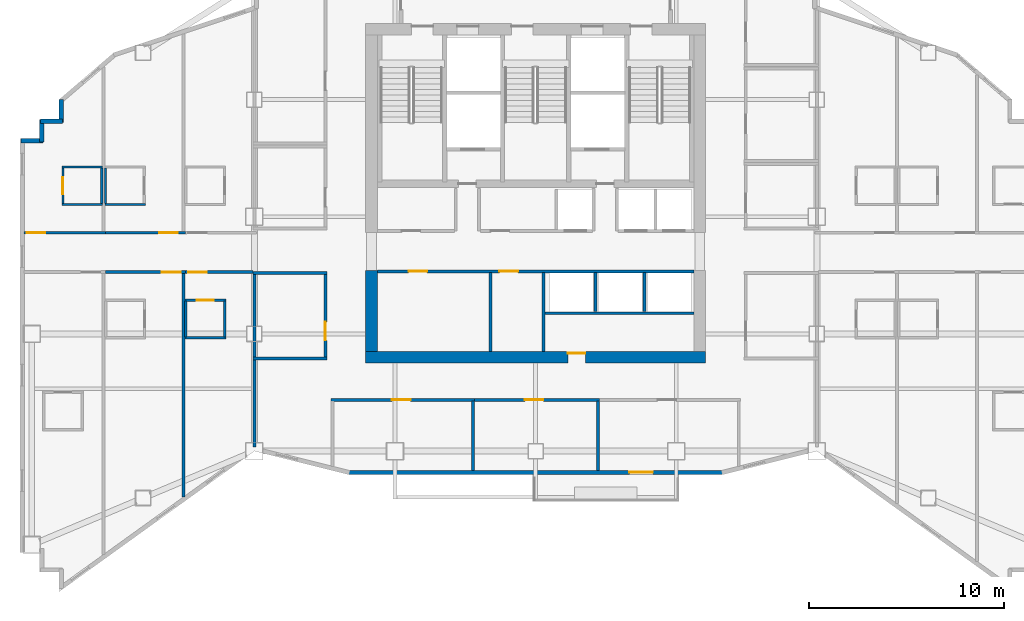
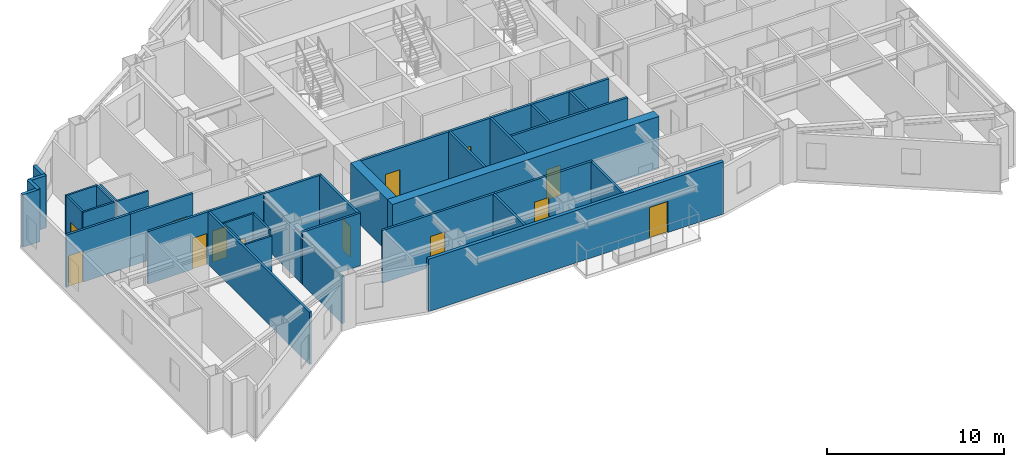
# One storey, part 5 of 11: 37 walls, 13 doors, 13 openings.
"""IFC4 building model written with IfcOpenShell, lengths in metres."""

from ifc_helpers import new_model, si_unit, direction, frame, frame_2d, origin, place, context, subcontext, project, spatial, rectangle, extrude, material, layer, layer_set, type_object, element, fill, save


model = new_model("IFC4")

# Units and contexts
model_context = context("Model", 3, precision=1e-05, world=origin(), true_north=direction((0.0, 1.0)))
body_context = subcontext(model_context, "Body", "Model", "MODEL_VIEW")
ifc_project = project(units=[si_unit("LENGTHUNIT", "METRE"), si_unit("AREAUNIT", "SQUARE_METRE"), si_unit("VOLUMEUNIT", "CUBIC_METRE"), si_unit("PLANEANGLEUNIT", "RADIAN"), si_unit("MASSUNIT", "GRAM", prefix="KILO")], contexts=[model_context])

# Site, building, storey
site_placement = place(None, origin())
site = spatial("IfcSite", under=ifc_project, at=site_placement, CompositionType="ELEMENT")
building_placement = place(site_placement, origin())
building = spatial("IfcBuilding", under=site, at=building_placement, Name="Haolan Belvedere Tower", CompositionType="ELEMENT")
storey_placement = place(building_placement, frame((0.0, 0.0, 223.0)))
storey = spatial("IfcBuildingStorey", under=building, at=storey_placement, Name="L56", CompositionType="ELEMENT", Elevation=223.0)

# Wall, opening, door
ifc_material_1 = material(Name="Concrete C60/75", Category="concrete")
ifc_layer_1 = layer(ifc_material_1, 0.60009765625, Name="Concrete C60/75")
ifc_layer_set_1 = layer_set([ifc_layer_1], Name="Concrete C60/75")
wall_type_1 = type_object("IfcWallType", Name="WL-CORE-600", PredefinedType="SHEAR", material=ifc_layer_set_1)
wall_1_placement = place(storey_placement, frame((29.699951171875, 26.39990234375, 0.0), z_axis=(0.0, 0.0, 1.0), x_axis=(1.0, 0.0, 0.0)))
wall_1 = element("IfcWall", 1, at=wall_1_placement, inside=storey, type_object=wall_type_1, Name="L56 central core south shear wall", PredefinedType="SHEAR", context=body_context, shape_type="SweptSolid", body=[
    extrude(rectangle(XDim=17.400146484375, YDim=0.60009765625, at=frame_2d((8.7001953125, 0.0))), origin(), (0.0, 0.0, 1.0), 3.6201171875),
])
opening_1_placement = place(wall_1_placement, frame((11.25, 0.0, 0.0), z_axis=(0.0, 0.0, 1.0), x_axis=(-1.0, 0.0, 0.0)))
opening_1 = element("IfcOpeningElement", 2, at=opening_1_placement, cuts=wall_1, Name="Opening FD-05", PredefinedType="OPENING", context=body_context, shape_type="SweptSolid", body=[
    extrude(rectangle(XDim=0.89990234375, YDim=2.10009765625, at=frame_2d((0.449951171875, 1.050048828125))), frame((0.0, 0.31005859375, 0.0), z_axis=(0.0, -1.0, 0.0), x_axis=(1.0, 0.0, 0.0)), (0.0, 0.0, 1.0), 0.6201171875),
])
ifc_material_2 = material(Name="Galvanised fire-rated steel", Category="steel")
door_type_1 = type_object("IfcDoorType", Name="DR-FD60-900", OperationType="NOTDEFINED", PredefinedType="DOOR", material=ifc_material_2)
door_1_placement = place(opening_1_placement, origin())
door_1 = element("IfcDoor", 3, at=door_1_placement, inside=storey, type_object=door_type_1, Name="L56 door CD-L56-SCVE", OperationType="SINGLE_SWING_RIGHT", OverallHeight=2.10009765625, OverallWidth=0.89990234375, PredefinedType="DOOR", context=body_context, shape_type="SweptSolid", body=[
    extrude(rectangle(XDim=0.89990234375, YDim=2.10009765625, at=frame_2d((0.449951171875, 1.050048828125))), frame((0.0, -0.19482421875, 0.0), z_axis=(0.0, -1.0, 0.0), x_axis=(1.0, 0.0, 0.0)), (0.0, 0.0, 1.0), 0.050048828125),
])
fill(opening_1, door_1)

# Wall
wall_2_placement = place(storey_placement, frame((30.0, 26.699951171875, 0.0), z_axis=(0.0, 0.0, 1.0), x_axis=(0.0, 1.0, 0.0)))
element("IfcWall", 4, at=wall_2_placement, inside=storey, type_object=wall_type_1, Name="L56 central core shear wall WS", PredefinedType="SHEAR", context=body_context, shape_type="SweptSolid", body=[
    extrude(rectangle(XDim=4.150146484375, YDim=0.60009765625, at=frame_2d((2.0751953125, 0.0))), origin(), (0.0, 0.0, 1.0), 3.6201171875),
])

# Wall, opening, door
ifc_material_3 = material(Name="Precast concrete C40/50", Category="concrete")
ifc_layer_2 = layer(ifc_material_3, 0.219970703125, Name="Precast concrete C40/50")
ifc_layer_set_2 = layer_set([ifc_layer_2], Name="Precast concrete C40/50")
wall_type_2 = type_object("IfcWallType", Name="WL-EXT-220", PredefinedType="SOLIDWALL", material=ifc_layer_set_2)
wall_3_placement = place(storey_placement, frame((28.758544921875, 20.510009765625, 0.0), z_axis=(0.0, 0.0, 1.0), x_axis=(1.0, 0.0, 0.0)))
wall_3 = element("IfcWall", 5, at=wall_3_placement, inside=storey, type_object=wall_type_2, Name="L56 pale-metal exterior spandrel wall 1.1", PredefinedType="SOLIDWALL", context=body_context, shape_type="SweptSolid", body=[
    extrude(rectangle(XDim=19.282958984375, YDim=0.219970703125, at=frame_2d((9.6416015625, 0.0))), origin(), (0.0, 0.0, 1.0), 3.6201171875),
])
opening_2_placement = place(wall_3_placement, frame((15.641357421875, 0.0, 0.0), z_axis=(0.0, 0.0, 1.0), x_axis=(-1.0, 0.0, 0.0)))
opening_2 = element("IfcOpeningElement", 6, at=opening_2_placement, cuts=wall_3, Name="Opening BD-01", PredefinedType="OPENING", context=body_context, shape_type="SweptSolid", body=[
    extrude(rectangle(XDim=1.199951171875, YDim=2.14990234375, at=frame_2d((0.60009765625, 1.074951171875))), frame((0.0, 0.119873046875, 0.0), z_axis=(0.0, -1.0, 0.0), x_axis=(1.0, 0.0, 0.0)), (0.0, 0.0, 1.0), 0.239990234375),
])
ifc_material_4 = material(Name="Thermally broken pale-metal aluminium and Low-E glass", Category="aluminium")
door_type_2 = type_object("IfcDoorType", Name="DR-BAL-1200", OperationType="NOTDEFINED", PredefinedType="DOOR", material=ifc_material_4)
door_2_placement = place(opening_2_placement, origin())
door_2 = element("IfcDoor", 7, at=door_2_placement, inside=storey, type_object=door_type_2, Name="L56 tree-balcony access door 1", OperationType="SINGLE_SWING_RIGHT", OverallHeight=2.14990234375, OverallWidth=1.199951171875, PredefinedType="DOOR", context=body_context, shape_type="SweptSolid", body=[
    extrude(rectangle(XDim=1.199951171875, YDim=2.14990234375, at=frame_2d((0.60009765625, 1.074951171875))), frame((0.0, 0.02490234375, 0.0), z_axis=(0.0, -1.0, 0.0), x_axis=(1.0, 0.0, 0.0)), (0.0, 0.0, 1.0), 0.050048828125),
])
fill(opening_2, door_2)

# Walls
wall_4_placement = place(storey_placement, frame((14.110107421875, 39.6044921875, 0.0), z_axis=(0.0, 0.0, 1.0), x_axis=(0.0, -1.0, 0.0)))
element("IfcWall", 8, at=wall_4_placement, inside=storey, type_object=wall_type_2, Name="L56 pale-metal exterior spandrel wall 31.1", PredefinedType="SOLIDWALL", context=body_context, shape_type="SweptSolid", body=[
    extrude(rectangle(XDim=1.16943359375, YDim=0.219970703125, at=frame_2d((0.584716796875, 0.0))), origin(), (0.0, 0.0, 1.0), 3.6201171875),
])
wall_5_placement = place(storey_placement, frame((14.1650390625, 38.489990234375, 0.0), z_axis=(0.0, 0.0, 1.0), x_axis=(-1.0, 0.0, 0.0)))
element("IfcWall", 9, at=wall_5_placement, inside=storey, type_object=wall_type_2, Name="L56 pale-metal exterior spandrel wall 32.1", PredefinedType="SOLIDWALL", context=body_context, shape_type="SweptSolid", body=[
    extrude(rectangle(XDim=1.110107421875, YDim=0.219970703125, at=frame_2d((0.55517578125, 0.0))), origin(), (0.0, 0.0, 1.0), 3.6201171875),
])
wall_6_placement = place(storey_placement, frame((13.110107421875, 38.544921875, 0.0), z_axis=(0.0, 0.0, 1.0), x_axis=(0.0, -1.0, 0.0)))
element("IfcWall", 10, at=wall_6_placement, inside=storey, type_object=wall_type_2, Name="L56 pale-metal exterior spandrel wall 33.1", PredefinedType="SOLIDWALL", context=body_context, shape_type="SweptSolid", body=[
    extrude(rectangle(XDim=1.10986328125, YDim=0.219970703125, at=frame_2d((0.554931640625, 0.0))), origin(), (0.0, 0.0, 1.0), 3.6201171875),
])
wall_7_placement = place(storey_placement, frame((13.1650390625, 37.489990234375, 0.0), z_axis=(0.0, 0.0, 1.0), x_axis=(-1.0, 0.0, 0.0)))
element("IfcWall", 11, at=wall_7_placement, inside=storey, type_object=wall_type_2, Name="L56 pale-metal exterior spandrel wall 34.1", PredefinedType="SOLIDWALL", context=body_context, shape_type="SweptSolid", body=[
    extrude(rectangle(XDim=1.110107421875, YDim=0.219970703125, at=frame_2d((0.55517578125, 0.0))), origin(), (0.0, 0.0, 1.0), 3.6201171875),
])
ifc_material_5 = material(Name="Double gypsum acoustic stud partition", Category="masonry")
ifc_layer_3 = layer(ifc_material_5, 0.14990234375, Name="Double gypsum acoustic stud partition")
ifc_layer_set_3 = layer_set([ifc_layer_3], Name="Double gypsum acoustic stud partition")
wall_type_3 = type_object("IfcWallType", Name="WL-PART-150", PredefinedType="PARTITIONING", material=ifc_layer_set_3)
wall_8_placement = place(storey_placement, frame((36.10009765625, 26.7099609375, 0.0), z_axis=(0.0, 0.0, 1.0), x_axis=(0.0, 1.0, 0.0)))
element("IfcWall", 12, at=wall_8_placement, inside=storey, type_object=wall_type_3, Name="L56 interior partition IW-L56-DIV-REUSE-PM", PredefinedType="PARTITIONING", context=body_context, shape_type="SweptSolid", body=[
    extrude(rectangle(XDim=4.025146484375, YDim=0.14990234375, at=frame_2d((2.0126953125, 0.0))), origin(), (0.0, 0.0, 1.0), 3.6201171875),
])
wall_9_placement = place(storey_placement, frame((38.860107421875, 28.659912109375, 0.0), z_axis=(0.0, 0.0, 1.0), x_axis=(1.0, 0.0, 0.0)))
element("IfcWall", 13, at=wall_9_placement, inside=storey, type_object=wall_type_3, Name="L56 interior partition IW-L56-SSTRIP-E", PredefinedType="PARTITIONING", context=body_context, shape_type="SweptSolid", body=[
    extrude(rectangle(XDim=7.639892578125, YDim=0.14990234375, at=frame_2d((3.81982421875, 0.0))), origin(), (0.0, 0.0, 1.0), 3.6201171875),
])
for number, where, z_axis, x_axis, name in (
    (14, (23.919921875, 30.72998046875, 0.0), (0.0, 0.0, 1.0), (1.0, 0.0, 0.0), "L56 interior partition IW-L56-PKTW-N"),
    (15, (23.919921875, 26.35009765625, 0.0), (0.0, 0.0, 1.0), (1.0, 0.0, 0.0), "L56 interior partition IW-L56-PKTW-S"),
):
    element("IfcWall", number, at=place(storey_placement, frame(where, z_axis=z_axis, x_axis=x_axis)), inside=storey, type_object=wall_type_3, Name=name, PredefinedType="PARTITIONING", context=body_context, shape_type="SweptSolid", body=[
        extrude(rectangle(XDim=3.800048828125, YDim=0.14990234375, at=frame_2d((1.89990234375, 0.0))), origin(), (0.0, 0.0, 1.0), 3.6201171875),
    ])
wall_10_placement = place(storey_placement, frame((24.0, 26.409912109375, 0.0), z_axis=(0.0, 0.0, 1.0), x_axis=(0.0, 1.0, 0.0)))
element("IfcWall", 16, at=wall_10_placement, inside=storey, type_object=wall_type_3, Name="L56 interior partition IW-L56-PKTW-W", PredefinedType="PARTITIONING", context=body_context, shape_type="SweptSolid", body=[
    extrude(rectangle(XDim=4.260009765625, YDim=0.14990234375, at=frame_2d((2.1298828125, 0.0))), origin(), (0.0, 0.0, 1.0), 3.215087890625),
])

# Wall, opening, door
wall_11_placement = place(storey_placement, frame((27.639892578125, 26.409912109375, 0.0), z_axis=(0.0, 0.0, 1.0), x_axis=(0.0, 1.0, 0.0)))
wall_11 = element("IfcWall", 17, at=wall_11_placement, inside=storey, type_object=wall_type_3, Name="L56 interior partition IW-L56-PKTW-E", PredefinedType="PARTITIONING", context=body_context, shape_type="SweptSolid", body=[
    extrude(rectangle(XDim=4.260009765625, YDim=0.14990234375, at=frame_2d((2.1298828125, 0.0))), origin(), (0.0, 0.0, 1.0), 3.6201171875),
])
opening_3_placement = place(wall_11_placement, frame((1.81005859375, 0.0, 0.0), z_axis=(0.0, 0.0, 1.0), x_axis=(-1.0, 0.0, 0.0)))
opening_3 = element("IfcOpeningElement", 18, at=opening_3_placement, cuts=wall_11, Name="Opening ID-03", PredefinedType="OPENING", context=body_context, shape_type="SweptSolid", body=[
    extrude(rectangle(XDim=0.949951171875, YDim=2.1201171875, at=frame_2d((0.47509765625, 1.06005859375))), frame((0.0, 0.0849609375, 0.0), z_axis=(0.0, -1.0, 0.0), x_axis=(1.0, 0.0, 0.0)), (0.0, 0.0, 1.0), 0.169921875),
])
ifc_material_6 = material(Name="Painted solid-core timber", Category="wood")
door_type_3 = type_object("IfcDoorType", Name="DR-INT-950", OperationType="NOTDEFINED", PredefinedType="DOOR", material=ifc_material_6)
door_3_placement = place(opening_3_placement, origin())
door_3 = element("IfcDoor", 19, at=door_3_placement, inside=storey, type_object=door_type_3, Name="L56 door ID-L56-PKTW", OperationType="SINGLE_SWING_LEFT", OverallHeight=2.1201171875, OverallWidth=0.949951171875, PredefinedType="DOOR", context=body_context, shape_type="SweptSolid", body=[
    extrude(rectangle(XDim=0.949951171875, YDim=2.1201171875, at=frame_2d((0.47509765625, 1.06005859375))), frame((0.0, 0.02490234375, 0.0), z_axis=(0.0, -1.0, 0.0), x_axis=(1.0, 0.0, 0.0)), (0.0, 0.0, 1.0), 0.050048828125),
])
fill(opening_3, door_3)

wall_12_placement = place(storey_placement, frame((27.919921875, 24.219970703125, 0.0), z_axis=(0.0, 0.0, 1.0), x_axis=(1.0, 0.0, 0.0)))
wall_12 = element("IfcWall", 20, at=wall_12_placement, inside=storey, type_object=wall_type_3, Name="L56 interior partition IW-L56-KS2-N", PredefinedType="PARTITIONING", context=body_context, shape_type="SweptSolid", body=[
    extrude(rectangle(XDim=7.360107421875, YDim=0.14990234375, at=frame_2d((3.68017578125, 0.0))), origin(), (0.0, 0.0, 1.0), 3.6201171875),
])
opening_4_placement = place(wall_12_placement, frame((4.074951171875, 0.0, 0.0), z_axis=(0.0, 0.0, 1.0), x_axis=(-1.0, 0.0, 0.0)))
opening_4 = element("IfcOpeningElement", 21, at=opening_4_placement, cuts=wall_12, Name="Opening ID-03", PredefinedType="OPENING", context=body_context, shape_type="SweptSolid", body=[
    extrude(rectangle(XDim=0.949951171875, YDim=2.1201171875, at=frame_2d((0.47509765625, 1.06005859375))), frame((0.0, 0.0849609375, 0.0), z_axis=(0.0, -1.0, 0.0), x_axis=(1.0, 0.0, 0.0)), (0.0, 0.0, 1.0), 0.169921875),
])
door_4_placement = place(opening_4_placement, origin())
door_4 = element("IfcDoor", 22, at=door_4_placement, inside=storey, type_object=door_type_3, Name="L56 door ID-L56-KS2", OperationType="SINGLE_SWING_LEFT", OverallHeight=2.1201171875, OverallWidth=0.949951171875, PredefinedType="DOOR", context=body_context, shape_type="SweptSolid", body=[
    extrude(rectangle(XDim=0.949951171875, YDim=2.1201171875, at=frame_2d((0.47509765625, 1.06005859375))), frame((0.0, 0.02490234375, 0.0), z_axis=(0.0, -1.0, 0.0), x_axis=(1.0, 0.0, 0.0)), (0.0, 0.0, 1.0), 0.050048828125),
])
fill(opening_4, door_4)

# Wall
wall_13_placement = place(storey_placement, frame((35.199951171875, 20.612060546875, 0.0), z_axis=(0.0, 0.0, 1.0), x_axis=(0.0, 1.0, 0.0)))
element("IfcWall", 23, at=wall_13_placement, inside=storey, type_object=wall_type_3, Name="L56 interior partition IW-L56-KS2-E", PredefinedType="PARTITIONING", context=body_context, shape_type="SweptSolid", body=[
    extrude(rectangle(XDim=3.5478515625, YDim=0.14990234375, at=frame_2d((1.77392578125, 0.0))), origin(), (0.0, 0.0, 1.0), 3.6201171875),
])

# Wall, opening, door
wall_14_placement = place(storey_placement, frame((35.281982421875, 24.219970703125, 0.0), z_axis=(0.0, 0.0, 1.0), x_axis=(1.0, 0.0, 0.0)))
wall_14 = element("IfcWall", 24, at=wall_14_placement, inside=storey, type_object=wall_type_3, Name="L56 interior partition IW-L56-KS3-N", PredefinedType="PARTITIONING", context=body_context, shape_type="SweptSolid", body=[
    extrude(rectangle(XDim=6.39794921875, YDim=0.14990234375, at=frame_2d((3.198974609375, 0.0))), origin(), (0.0, 0.0, 1.0), 3.6201171875),
])
opening_5_placement = place(wall_14_placement, frame((3.512939453125, 0.0, 0.0), z_axis=(0.0, 0.0, 1.0), x_axis=(-1.0, 0.0, 0.0)))
opening_5 = element("IfcOpeningElement", 25, at=opening_5_placement, cuts=wall_14, Name="Opening ID-03", PredefinedType="OPENING", context=body_context, shape_type="SweptSolid", body=[
    extrude(rectangle(XDim=0.949951171875, YDim=2.1201171875, at=frame_2d((0.47509765625, 1.06005859375))), frame((0.0, 0.0849609375, 0.0), z_axis=(0.0, -1.0, 0.0), x_axis=(1.0, 0.0, 0.0)), (0.0, 0.0, 1.0), 0.169921875),
])
door_5_placement = place(opening_5_placement, origin())
door_5 = element("IfcDoor", 26, at=door_5_placement, inside=storey, type_object=door_type_3, Name="L56 door ID-L56-KS3", OperationType="SINGLE_SWING_RIGHT", OverallHeight=2.1201171875, OverallWidth=0.949951171875, PredefinedType="DOOR", context=body_context, shape_type="SweptSolid", body=[
    extrude(rectangle(XDim=0.949951171875, YDim=2.1201171875, at=frame_2d((0.47509765625, 1.06005859375))), frame((0.0, 0.02490234375, 0.0), z_axis=(0.0, -1.0, 0.0), x_axis=(1.0, 0.0, 0.0)), (0.0, 0.0, 1.0), 0.050048828125),
])
fill(opening_5, door_5)

# Wall
wall_15_placement = place(storey_placement, frame((41.60009765625, 20.612060546875, 0.0), z_axis=(0.0, 0.0, 1.0), x_axis=(0.0, 1.0, 0.0)))
element("IfcWall", 27, at=wall_15_placement, inside=storey, type_object=wall_type_3, Name="L56 interior partition IW-L56-KS3-E", PredefinedType="PARTITIONING", context=body_context, shape_type="SweptSolid", body=[
    extrude(rectangle(XDim=3.5478515625, YDim=0.14990234375, at=frame_2d((1.77392578125, 0.0))), origin(), (0.0, 0.0, 1.0), 3.6201171875),
])

# Wall, opening, door
wall_16_placement = place(storey_placement, frame((12.2119140625, 32.780029296875, 0.0), z_axis=(0.0, 0.0, 1.0), x_axis=(1.0, 0.0, 0.0)))
wall_16 = element("IfcWall", 28, at=wall_16_placement, inside=storey, type_object=wall_type_3, Name="L56 interior partition IW-L56-T2N1-S", PredefinedType="PARTITIONING", context=body_context, shape_type="SweptSolid", body=[
    extrude(rectangle(XDim=4.16796875, YDim=0.14990234375, at=frame_2d((2.083984375, 0.0))), origin(), (0.0, 0.0, 1.0), 3.6201171875),
])
opening_6_placement = place(wall_16_placement, frame((0.139892578125, 0.0, 0.0)))
opening_6 = element("IfcOpeningElement", 29, at=opening_6_placement, cuts=wall_16, Name="Opening ID-02", PredefinedType="OPENING", context=body_context, shape_type="SweptSolid", body=[
    extrude(rectangle(XDim=0.949951171875, YDim=2.14990234375, at=frame_2d((0.47509765625, 1.074951171875))), frame((0.0, 0.0849609375, 0.0), z_axis=(0.0, -1.0, 0.0), x_axis=(1.0, 0.0, 0.0)), (0.0, 0.0, 1.0), 0.169921875),
])
ifc_material_7 = material(Name="Acoustic oak veneer fire-rated timber", Category="wood")
door_type_4 = type_object("IfcDoorType", Name="DR-GUEST-950", OperationType="NOTDEFINED", PredefinedType="DOOR", material=ifc_material_7)
door_6_placement = place(opening_6_placement, origin())
door_6 = element("IfcDoor", 30, at=door_6_placement, inside=storey, type_object=door_type_4, Name="L56 door ID-L56-T2N1-ENT", OperationType="SINGLE_SWING_RIGHT", OverallHeight=2.14990234375, OverallWidth=0.949951171875, PredefinedType="DOOR", context=body_context, shape_type="SweptSolid", body=[
    extrude(rectangle(XDim=0.949951171875, YDim=2.14990234375, at=frame_2d((0.47509765625, 1.074951171875))), frame((0.0, 0.02490234375, 0.0), z_axis=(0.0, -1.0, 0.0), x_axis=(1.0, 0.0, 0.0)), (0.0, 0.0, 1.0), 0.050048828125),
])
fill(opening_6, door_6)

wall_17_placement = place(storey_placement, frame((16.382080078125, 32.780029296875, 0.0), z_axis=(0.0, 0.0, 1.0), x_axis=(1.0, 0.0, 0.0)))
wall_17 = element("IfcWall", 31, at=wall_17_placement, inside=storey, type_object=wall_type_3, Name="L56 interior partition IW-L56-T2N2-S", PredefinedType="PARTITIONING", context=body_context, shape_type="SweptSolid", body=[
    extrude(rectangle(XDim=4.097900390625, YDim=0.14990234375, at=frame_2d((2.048828125, 0.0))), origin(), (0.0, 0.0, 1.0), 3.6201171875),
])
opening_7_placement = place(wall_17_placement, frame((2.738037109375, 0.0, 0.0)))
opening_7 = element("IfcOpeningElement", 32, at=opening_7_placement, cuts=wall_17, Name="Opening ID-02", PredefinedType="OPENING", context=body_context, shape_type="SweptSolid", body=[
    extrude(rectangle(XDim=0.949951171875, YDim=2.14990234375, at=frame_2d((0.47509765625, 1.074951171875))), frame((0.0, 0.0849609375, 0.0), z_axis=(0.0, -1.0, 0.0), x_axis=(1.0, 0.0, 0.0)), (0.0, 0.0, 1.0), 0.169921875),
])
door_7_placement = place(opening_7_placement, origin())
door_7 = element("IfcDoor", 33, at=door_7_placement, inside=storey, type_object=door_type_4, Name="L56 door ID-L56-T2N2-ENT", OperationType="SINGLE_SWING_LEFT", OverallHeight=2.14990234375, OverallWidth=0.949951171875, PredefinedType="DOOR", context=body_context, shape_type="SweptSolid", body=[
    extrude(rectangle(XDim=0.949951171875, YDim=2.14990234375, at=frame_2d((0.47509765625, 1.074951171875))), frame((0.0, 0.02490234375, 0.0), z_axis=(0.0, -1.0, 0.0), x_axis=(1.0, 0.0, 0.0)), (0.0, 0.0, 1.0), 0.050048828125),
])
fill(opening_7, door_7)

wall_18_placement = place(storey_placement, frame((16.382080078125, 30.77001953125, 0.0), z_axis=(0.0, 0.0, 1.0), x_axis=(1.0, 0.0, 0.0)))
wall_18 = element("IfcWall", 34, at=wall_18_placement, inside=storey, type_object=wall_type_3, Name="L56 interior partition IW-L56-T2S2-N", PredefinedType="PARTITIONING", context=body_context, shape_type="SweptSolid", body=[
    extrude(rectangle(XDim=4.097900390625, YDim=0.14990234375, at=frame_2d((2.048828125, 0.0))), origin(), (0.0, 0.0, 1.0), 3.6201171875),
])
opening_8_placement = place(wall_18_placement, frame((3.8369140625, 0.0, 0.0), z_axis=(0.0, 0.0, 1.0), x_axis=(-1.0, 0.0, 0.0)))
opening_8 = element("IfcOpeningElement", 35, at=opening_8_placement, cuts=wall_18, Name="Opening ID-02", PredefinedType="OPENING", context=body_context, shape_type="SweptSolid", body=[
    extrude(rectangle(XDim=0.949951171875, YDim=2.14990234375, at=frame_2d((0.47509765625, 1.074951171875))), frame((0.0, 0.0849609375, 0.0), z_axis=(0.0, -1.0, 0.0), x_axis=(1.0, 0.0, 0.0)), (0.0, 0.0, 1.0), 0.169921875),
])
door_8_placement = place(opening_8_placement, origin())
door_8 = element("IfcDoor", 36, at=door_8_placement, inside=storey, type_object=door_type_4, Name="L56 door ID-L56-T2S2-ENT", OperationType="SINGLE_SWING_RIGHT", OverallHeight=2.14990234375, OverallWidth=0.949951171875, PredefinedType="DOOR", context=body_context, shape_type="SweptSolid", body=[
    extrude(rectangle(XDim=0.949951171875, YDim=2.14990234375, at=frame_2d((0.47509765625, 1.074951171875))), frame((0.0, 0.02490234375, 0.0), z_axis=(0.0, -1.0, 0.0), x_axis=(1.0, 0.0, 0.0)), (0.0, 0.0, 1.0), 0.050048828125),
])
fill(opening_8, door_8)

# Wall
wall_19_placement = place(storey_placement, frame((20.3798828125, 19.2548828125, 0.0), z_axis=(0.0, 0.0, 1.0), x_axis=(0.0, 1.0, 0.0)))
element("IfcWall", 37, at=wall_19_placement, inside=storey, type_object=wall_type_3, Name="L56 interior partition IW-L56-T2S2-E", PredefinedType="PARTITIONING", context=body_context, shape_type="SweptSolid", body=[
    extrude(rectangle(XDim=11.455078125, YDim=0.14990234375, at=frame_2d((5.7275390625, 0.0))), origin(), (0.0, 0.0, 1.0), 3.6201171875),
])

# Wall, opening, door
wall_20_placement = place(storey_placement, frame((20.48193359375, 30.77001953125, 0.0), z_axis=(0.0, 0.0, 1.0), x_axis=(1.0, 0.0, 0.0)))
wall_20 = element("IfcWall", 38, at=wall_20_placement, inside=storey, type_object=wall_type_3, Name="L56 interior partition IW-L56-T2S3-N", PredefinedType="PARTITIONING", context=body_context, shape_type="SweptSolid", body=[
    extrude(rectangle(XDim=3.43603515625, YDim=0.14990234375, at=frame_2d((1.718017578125, 0.0))), origin(), (0.0, 0.0, 1.0), 3.6201171875),
])
opening_9_placement = place(wall_20_placement, frame((1.08984375, 0.0, 0.0), z_axis=(0.0, 0.0, 1.0), x_axis=(-1.0, 0.0, 0.0)))
opening_9 = element("IfcOpeningElement", 39, at=opening_9_placement, cuts=wall_20, Name="Opening ID-02", PredefinedType="OPENING", context=body_context, shape_type="SweptSolid", body=[
    extrude(rectangle(XDim=0.949951171875, YDim=2.14990234375, at=frame_2d((0.47509765625, 1.074951171875))), frame((0.0, 0.0849609375, 0.0), z_axis=(0.0, -1.0, 0.0), x_axis=(1.0, 0.0, 0.0)), (0.0, 0.0, 1.0), 0.169921875),
])
door_9_placement = place(opening_9_placement, origin())
door_9 = element("IfcDoor", 40, at=door_9_placement, inside=storey, type_object=door_type_4, Name="L56 door ID-L56-T2S3-ENT", OperationType="SINGLE_SWING_LEFT", OverallHeight=2.14990234375, OverallWidth=0.949951171875, PredefinedType="DOOR", context=body_context, shape_type="SweptSolid", body=[
    extrude(rectangle(XDim=0.949951171875, YDim=2.14990234375, at=frame_2d((0.47509765625, 1.074951171875))), frame((0.0, 0.02490234375, 0.0), z_axis=(0.0, -1.0, 0.0), x_axis=(1.0, 0.0, 0.0)), (0.0, 0.0, 1.0), 0.050048828125),
])
fill(opening_9, door_9)

# Wall
wall_21_placement = place(storey_placement, frame((24.0, 21.818603515625, 0.0), z_axis=(0.0, 0.0, 1.0), x_axis=(0.0, 1.0, 0.0)))
element("IfcWall", 41, at=wall_21_placement, inside=storey, type_object=wall_type_3, Name="L56 interior partition IW-L56-T2S3-E", PredefinedType="PARTITIONING", context=body_context, shape_type="SweptSolid", body=[
    extrude(rectangle(XDim=4.471435546875, YDim=0.14990234375, at=frame_2d((2.23583984375, 0.0))), origin(), (0.0, 0.0, 1.0), 3.215087890625),
])

# Wall, openings, doors
ifc_material_8 = material(Name="Gypsum fire shaftwall assembly", Category="masonry")
ifc_layer_4 = layer(ifc_material_8, 0.1650390625, Name="Gypsum fire shaftwall assembly")
ifc_layer_set_4 = layer_set([ifc_layer_4], Name="Gypsum fire shaftwall assembly")
wall_type_4 = type_object("IfcWallType", Name="WL-SHAFT-160", PredefinedType="SOLIDWALL", material=ifc_layer_set_4)
wall_22_placement = place(storey_placement, frame((30.300048828125, 30.800048828125, 0.0), z_axis=(0.0, 0.0, 1.0), x_axis=(1.0, 0.0, 0.0)))
wall_22 = element("IfcWall", 42, at=wall_22_placement, inside=storey, type_object=wall_type_4, Name="L56 interior partition IW-L56-ROW-PS", PredefinedType="SOLIDWALL", context=body_context, shape_type="SweptSolid", body=[
    extrude(rectangle(XDim=16.199951171875, YDim=0.159912109375, at=frame_2d((8.10009765625, 0.0))), origin(), (0.0, 0.0, 1.0), 3.6201171875),
])
opening_10_placement = place(wall_22_placement, frame((1.60009765625, 0.0, 0.0)))
opening_10 = element("IfcOpeningElement", 43, at=opening_10_placement, cuts=wall_22, Name="Opening ID-03", PredefinedType="OPENING", context=body_context, shape_type="SweptSolid", body=[
    extrude(rectangle(XDim=0.949951171875, YDim=2.1201171875, at=frame_2d((0.47509765625, 1.06005859375))), frame((0.0, 0.08984375, 0.0), z_axis=(0.0, -1.0, 0.0), x_axis=(1.0, 0.0, 0.0)), (0.0, 0.0, 1.0), 0.179931640625),
])
opening_11_placement = place(wall_22_placement, frame((6.25, 0.0, 0.0)))
opening_11 = element("IfcOpeningElement", 44, at=opening_11_placement, cuts=wall_22, Name="Opening ID-03", PredefinedType="OPENING", context=body_context, shape_type="SweptSolid", body=[
    extrude(rectangle(XDim=0.949951171875, YDim=2.1201171875, at=frame_2d((0.47509765625, 1.06005859375))), frame((0.0, 0.08984375, 0.0), z_axis=(0.0, -1.0, 0.0), x_axis=(1.0, 0.0, 0.0)), (0.0, 0.0, 1.0), 0.179931640625),
])
door_10_placement = place(opening_10_placement, origin())
door_10 = element("IfcDoor", 45, at=door_10_placement, inside=storey, type_object=door_type_3, Name="L56 door ID-L56-CD-RPMA", OperationType="SINGLE_SWING_LEFT", OverallHeight=2.1201171875, OverallWidth=0.949951171875, PredefinedType="DOOR", context=body_context, shape_type="SweptSolid", body=[
    extrude(rectangle(XDim=0.949951171875, YDim=2.1201171875, at=frame_2d((0.47509765625, 1.06005859375))), frame((0.0, 0.02490234375, 0.0), z_axis=(0.0, -1.0, 0.0), x_axis=(1.0, 0.0, 0.0)), (0.0, 0.0, 1.0), 0.050048828125),
])
fill(opening_10, door_10)
door_11_placement = place(opening_11_placement, origin())
door_11 = element("IfcDoor", 46, at=door_11_placement, inside=storey, type_object=door_type_3, Name="L56 door ID-L56-CD-RPMB", OperationType="SINGLE_SWING_RIGHT", OverallHeight=2.1201171875, OverallWidth=0.949951171875, PredefinedType="DOOR", context=body_context, shape_type="SweptSolid", body=[
    extrude(rectangle(XDim=0.949951171875, YDim=2.1201171875, at=frame_2d((0.47509765625, 1.06005859375))), frame((0.0, 0.02490234375, 0.0), z_axis=(0.0, -1.0, 0.0), x_axis=(1.0, 0.0, 0.0)), (0.0, 0.0, 1.0), 0.050048828125),
])
fill(opening_11, door_11)

# Walls
wall_23_placement = place(storey_placement, frame((38.800048828125, 26.7099609375, 0.0), z_axis=(0.0, 0.0, 1.0), x_axis=(0.0, 1.0, 0.0)))
element("IfcWall", 47, at=wall_23_placement, inside=storey, type_object=wall_type_4, Name="L56 interior partition IW-L56-DIV-PM-OB", PredefinedType="SOLIDWALL", context=body_context, shape_type="SweptSolid", body=[
    extrude(rectangle(XDim=4.025146484375, YDim=0.14990234375, at=frame_2d((2.0126953125, 0.0))), origin(), (0.0, 0.0, 1.0), 3.6201171875),
])
for number, where, z_axis, x_axis, name in (
    (48, (41.469970703125, 28.75, 0.0), (0.0, 0.0, 1.0), (0.0, 1.0, 0.0), "L56 interior partition IW-L56-DIV-OB1"),
    (49, (43.97998046875, 28.75, 0.0), (0.0, 0.0, 1.0), (0.0, 1.0, 0.0), "L56 interior partition IW-L56-DIV-OB2"),
):
    element("IfcWall", number, at=place(storey_placement, frame(where, z_axis=z_axis, x_axis=x_axis)), inside=storey, type_object=wall_type_4, Name=name, PredefinedType="SOLIDWALL", context=body_context, shape_type="SweptSolid", body=[
        extrude(rectangle(XDim=1.985107421875, YDim=0.14990234375, at=frame_2d((0.99267578125, 0.0))), origin(), (0.0, 0.0, 1.0), 3.6201171875),
    ])
ifc_material_9 = material(Name="Moisture-resistant gypsum tile partition", Category="masonry")
ifc_layer_5 = layer(ifc_material_9, 0.1201171875, Name="Moisture-resistant gypsum tile partition")
ifc_layer_set_5 = layer_set([ifc_layer_5], Name="Moisture-resistant gypsum tile partition")
wall_type_5 = type_object("IfcWallType", Name="WL-WET-120", PredefinedType="PARTITIONING", material=ifc_layer_set_5)
for number, where, z_axis, x_axis, name in (
    (50, (14.139892578125, 36.14990234375, 0.0), (0.0, 0.0, 1.0), (1.0, 0.0, 0.0), "L56 interior partition IW-L56-T2N1-BN"),
    (51, (14.139892578125, 34.22998046875, 0.0), (0.0, 0.0, 1.0), (1.0, 0.0, 0.0), "L56 interior partition IW-L56-T2N1-BS"),
):
    element("IfcWall", number, at=place(storey_placement, frame(where, z_axis=z_axis, x_axis=x_axis)), inside=storey, type_object=wall_type_5, Name=name, PredefinedType="PARTITIONING", context=body_context, shape_type="SweptSolid", body=[
        extrude(rectangle(XDim=2.080078125, YDim=0.1201171875, at=frame_2d((1.0400390625, 0.0))), origin(), (0.0, 0.0, 1.0), 3.6201171875),
    ])

# Wall, opening, door
wall_24_placement = place(storey_placement, frame((14.199951171875, 34.27490234375, 0.0), z_axis=(0.0, 0.0, 1.0), x_axis=(0.0, 1.0, 0.0)))
wall_24 = element("IfcWall", 52, at=wall_24_placement, inside=storey, type_object=wall_type_5, Name="L56 interior partition IW-L56-T2N1-BW", PredefinedType="PARTITIONING", context=body_context, shape_type="SweptSolid", body=[
    extrude(rectangle(XDim=1.830078125, YDim=0.1201171875, at=frame_2d((0.9150390625, 0.0))), origin(), (0.0, 0.0, 1.0), 3.6201171875),
])
opening_12_placement = place(wall_24_placement, frame((1.340087890625, 0.0, 0.0), z_axis=(0.0, 0.0, 1.0), x_axis=(-1.0, 0.0, 0.0)))
opening_12 = element("IfcOpeningElement", 53, at=opening_12_placement, cuts=wall_24, Name="Opening ID-05", PredefinedType="OPENING", context=body_context, shape_type="SweptSolid", body=[
    extrude(rectangle(XDim=0.85009765625, YDim=2.10009765625, at=frame_2d((0.425048828125, 1.050048828125))), frame((0.0, 0.070068359375, 0.0), z_axis=(0.0, -1.0, 0.0), x_axis=(1.0, 0.0, 0.0)), (0.0, 0.0, 1.0), 0.14013671875),
])
ifc_material_10 = material(Name="Moisture-resistant lacquered timber", Category="wood")
door_type_5 = type_object("IfcDoorType", Name="DR-BATH-850", OperationType="NOTDEFINED", PredefinedType="DOOR", material=ifc_material_10)
door_12_placement = place(opening_12_placement, origin())
door_12 = element("IfcDoor", 54, at=door_12_placement, inside=storey, type_object=door_type_5, Name="L56 door ID-L56-T2N1-BATH", OperationType="SINGLE_SWING_LEFT", OverallHeight=2.10009765625, OverallWidth=0.85009765625, PredefinedType="DOOR", context=body_context, shape_type="SweptSolid", body=[
    extrude(rectangle(XDim=0.85009765625, YDim=2.10009765625, at=frame_2d((0.425048828125, 1.050048828125))), frame((0.0, 0.02490234375, 0.0), z_axis=(0.0, -1.0, 0.0), x_axis=(1.0, 0.0, 0.0)), (0.0, 0.0, 1.0), 0.050048828125),
])
fill(opening_12, door_12)

# Walls
wall_25_placement = place(storey_placement, frame((16.179931640625, 34.27490234375, 0.0), z_axis=(0.0, 0.0, 1.0), x_axis=(0.0, 1.0, 0.0)))
element("IfcWall", 55, at=wall_25_placement, inside=storey, type_object=wall_type_5, Name="L56 interior partition IW-L56-T2N1-BE", PredefinedType="PARTITIONING", context=body_context, shape_type="SweptSolid", body=[
    extrude(rectangle(XDim=1.830078125, YDim=0.1201171875, at=frame_2d((0.9150390625, 0.0))), origin(), (0.0, 0.0, 1.0), 3.6201171875),
])
wall_26_placement = place(storey_placement, frame((16.340087890625, 34.22998046875, 0.0), z_axis=(0.0, 0.0, 1.0), x_axis=(1.0, 0.0, 0.0)))
element("IfcWall", 56, at=wall_26_placement, inside=storey, type_object=wall_type_5, Name="L56 interior partition IW-L56-T2N2-BS", PredefinedType="PARTITIONING", context=body_context, shape_type="SweptSolid", body=[
    extrude(rectangle(XDim=2.079833984375, YDim=0.1201171875, at=frame_2d((1.0400390625, 0.0))), origin(), (0.0, 0.0, 1.0), 3.6201171875),
])
wall_27_placement = place(storey_placement, frame((16.3798828125, 34.27490234375, 0.0), z_axis=(0.0, 0.0, 1.0), x_axis=(0.0, 1.0, 0.0)))
element("IfcWall", 57, at=wall_27_placement, inside=storey, type_object=wall_type_5, Name="L56 interior partition IW-L56-T2N2-BW", PredefinedType="PARTITIONING", context=body_context, shape_type="SweptSolid", body=[
    extrude(rectangle(XDim=1.830078125, YDim=0.1201171875, at=frame_2d((0.9150390625, 0.0))), origin(), (0.0, 0.0, 1.0), 3.6201171875),
])

# Wall, opening, door
wall_28_placement = place(storey_placement, frame((20.43994140625, 29.320068359375, 0.0), z_axis=(0.0, 0.0, 1.0), x_axis=(1.0, 0.0, 0.0)))
wall_28 = element("IfcWall", 58, at=wall_28_placement, inside=storey, type_object=wall_type_5, Name="L56 interior partition IW-L56-T2S3-BN", PredefinedType="PARTITIONING", context=body_context, shape_type="SweptSolid", body=[
    extrude(rectangle(XDim=2.094970703125, YDim=0.1201171875, at=frame_2d((1.04736328125, 0.0))), origin(), (0.0, 0.0, 1.0), 3.6201171875),
])
opening_13_placement = place(wall_28_placement, frame((1.47021484375, 0.0, 0.0), z_axis=(0.0, 0.0, 1.0), x_axis=(-1.0, 0.0, 0.0)))
opening_13 = element("IfcOpeningElement", 59, at=opening_13_placement, cuts=wall_28, Name="Opening ID-05", PredefinedType="OPENING", context=body_context, shape_type="SweptSolid", body=[
    extrude(rectangle(XDim=0.85009765625, YDim=2.10009765625, at=frame_2d((0.425048828125, 1.050048828125))), frame((0.0, 0.070068359375, 0.0), z_axis=(0.0, -1.0, 0.0), x_axis=(1.0, 0.0, 0.0)), (0.0, 0.0, 1.0), 0.14013671875),
])
door_13_placement = place(opening_13_placement, origin())
door_13 = element("IfcDoor", 60, at=door_13_placement, inside=storey, type_object=door_type_5, Name="L56 door ID-L56-T2S3-BATH", OperationType="SINGLE_SWING_RIGHT", OverallHeight=2.10009765625, OverallWidth=0.85009765625, PredefinedType="DOOR", context=body_context, shape_type="SweptSolid", body=[
    extrude(rectangle(XDim=0.85009765625, YDim=2.10009765625, at=frame_2d((0.425048828125, 1.050048828125))), frame((0.0, 0.02490234375, 0.0), z_axis=(0.0, -1.0, 0.0), x_axis=(1.0, 0.0, 0.0)), (0.0, 0.0, 1.0), 0.050048828125),
])
fill(opening_13, door_13)

# Walls
wall_29_placement = place(storey_placement, frame((20.43994140625, 27.39990234375, 0.0), z_axis=(0.0, 0.0, 1.0), x_axis=(1.0, 0.0, 0.0)))
element("IfcWall", 61, at=wall_29_placement, inside=storey, type_object=wall_type_5, Name="L56 interior partition IW-L56-T2S3-BS", PredefinedType="PARTITIONING", context=body_context, shape_type="SweptSolid", body=[
    extrude(rectangle(XDim=2.094970703125, YDim=0.1201171875, at=frame_2d((1.04736328125, 0.0))), origin(), (0.0, 0.0, 1.0), 3.215087890625),
])
for number, where, z_axis, x_axis, name in (
    (62, (20.4951171875, 27.445068359375, 0.0), (0.0, 0.0, 1.0), (0.0, 1.0, 0.0), "L56 interior partition IW-L56-T2S3-BW"),
    (63, (22.47509765625, 27.445068359375, 0.0), (0.0, 0.0, 1.0), (0.0, 1.0, 0.0), "L56 interior partition IW-L56-T2S3-BE"),
):
    element("IfcWall", number, at=place(storey_placement, frame(where, z_axis=z_axis, x_axis=x_axis)), inside=storey, type_object=wall_type_5, Name=name, PredefinedType="PARTITIONING", context=body_context, shape_type="SweptSolid", body=[
        extrude(rectangle(XDim=1.829833984375, YDim=0.1201171875, at=frame_2d((0.9150390625, 0.0))), origin(), (0.0, 0.0, 1.0), 3.6201171875),
    ])

save(model, "model.ifc")
